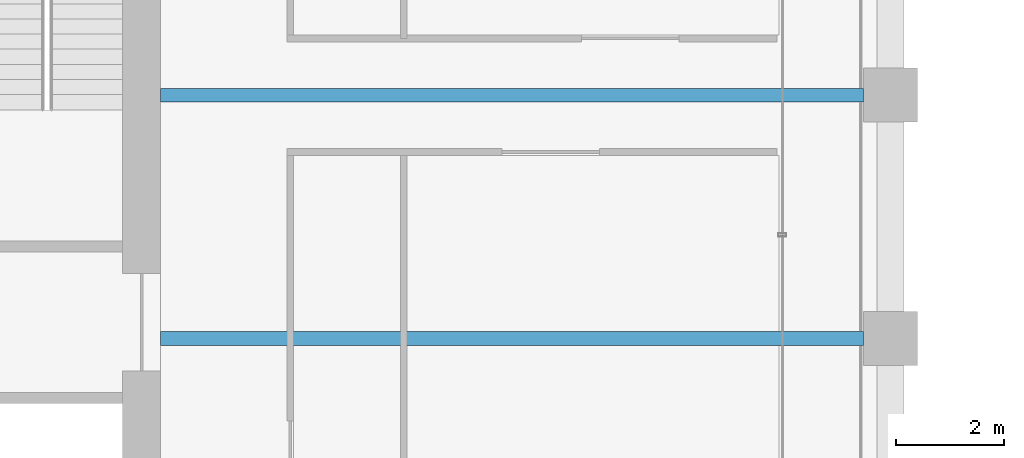
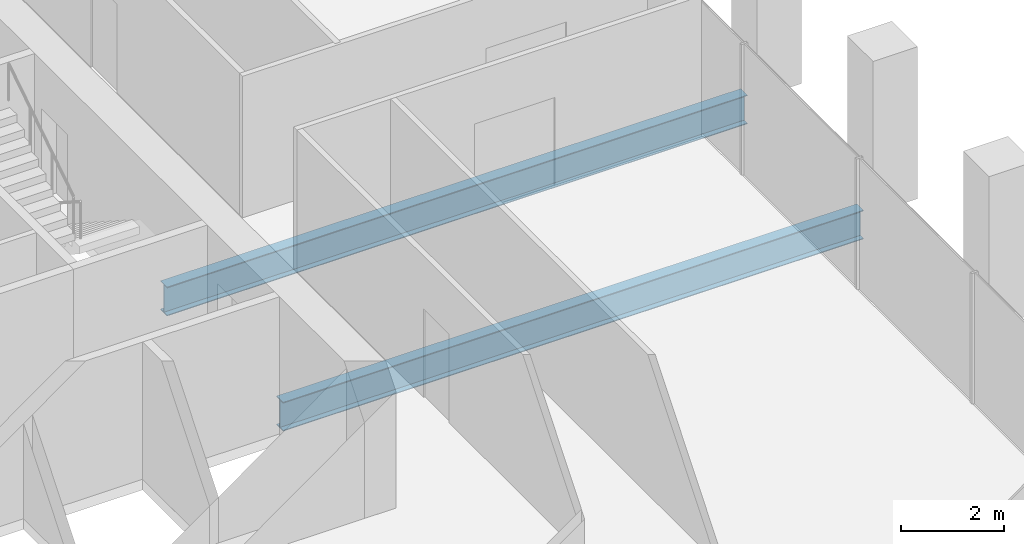
# One storey, part 16 of 45: 2 beams.
"""IFC4 building model written with IfcOpenShell, lengths in metres."""

from ifc_helpers import new_model, si_unit, direction, frame, origin, origin_2d, place, context, subcontext, project, spatial, i_section, extrude, material, material_profile, profile_set, type_object, element, save


model = new_model("IFC4")

# Units and contexts
model_context = context("Model", 3, precision=1e-05, world=origin(), true_north=direction((0.0, 1.0)))
body_context = subcontext(model_context, "Body", "Model", "MODEL_VIEW")
ifc_project = project(units=[si_unit("LENGTHUNIT", "METRE"), si_unit("AREAUNIT", "SQUARE_METRE"), si_unit("VOLUMEUNIT", "CUBIC_METRE"), si_unit("PLANEANGLEUNIT", "RADIAN"), si_unit("MASSUNIT", "GRAM", prefix="KILO")], contexts=[model_context])

# Site, building, storey
site_placement = place(None, origin())
site = spatial("IfcSite", under=ifc_project, at=site_placement, CompositionType="ELEMENT")
building_placement = place(site_placement, origin())
building = spatial("IfcBuilding", under=site, at=building_placement, Name="Altepetl Exchange Towers", CompositionType="ELEMENT")
storey_placement = place(building_placement, frame((0.0, 0.0, 110.0)))
storey = spatial("IfcBuildingStorey", under=building, at=storey_placement, Name="L27", CompositionType="ELEMENT", Elevation=110.0)

# Beams
ifc_material = material(Name="Steel S355", Category="steel")
ifc_material_profile = material_profile(ifc_material, i_section(OverallWidth=0.25390625, OverallDepth=0.68408203125, WebThickness=0.012451171875, FlangeThickness=0.018798828125, at=origin_2d()), Name="W27X94")
ifc_profile_set = profile_set([ifc_material_profile], Name="Steel S355")
beam_type = type_object("IfcBeamType", Name="Floor beam W27X94", PredefinedType="BEAM", material=ifc_profile_set)
for number, where, z_axis, x_axis, name in (
    (1, (58.5, 45.0, -0.491943359375), (1.0, 0.0, 0.0), (0.0, 1.0, 0.0), "bm:A:L27:009"),
    (2, (58.5, 49.5, -0.491943359375), (1.0, 0.0, 0.0), (0.0, 1.0, 0.0), "bm:A:L27:010"),
):
    element("IfcBeam", number, at=place(storey_placement, frame(where, z_axis=z_axis, x_axis=x_axis)), inside=storey, type_object=beam_type, Name=name, PredefinedType="BEAM", context=body_context, shape_type="SweptSolid", body=[
        extrude(i_section(OverallWidth=0.25390625, OverallDepth=0.68408203125, WebThickness=0.012451171875, FlangeThickness=0.018798828125, at=origin_2d()), origin(), (0.0, 0.0, 1.0), 13.0),
    ])

save(model, "model.ifc")
